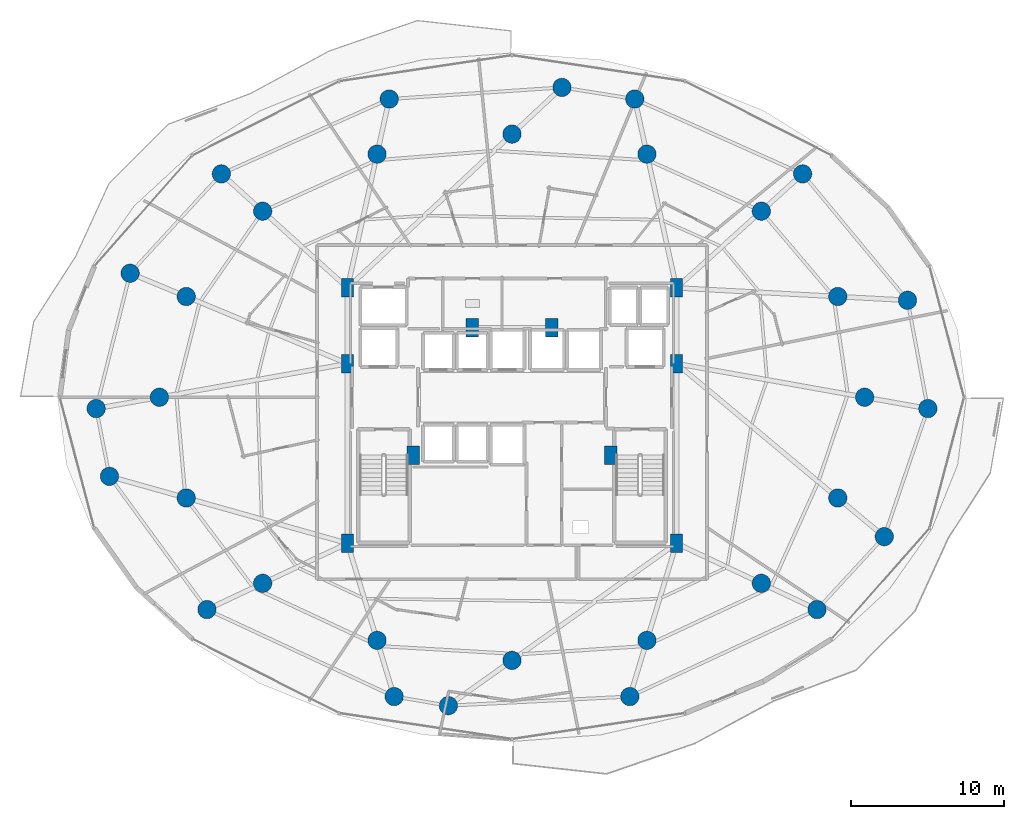
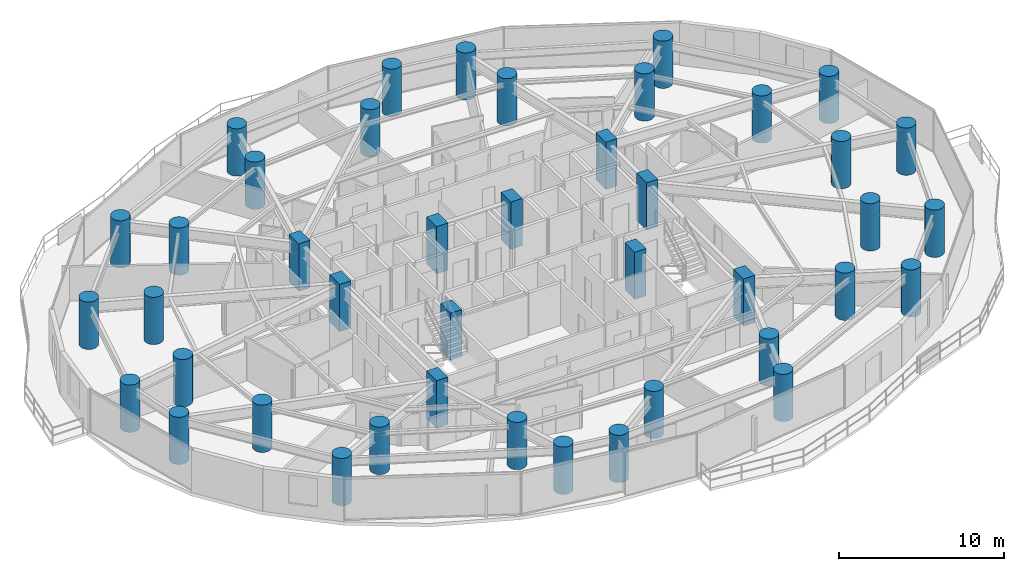
# One storey, part 1 of 34: 42 columns.
"""IFC4 building model written with IfcOpenShell, lengths in metres."""

import ifcopenshell
import ifcopenshell.guid

model = None  # the IFC model being written
_history = None  # IfcOwnerHistory: only IFC2X3 demands one
_inside = {}  # id of a spatial element -> (the spatial element, [elements in it])
_under = {}  # id of a project, library or spatial element -> (it, [spatial elements below it])
_declared = {}  # id of a project -> (the project, [libraries it declares])
_typed = {}  # id of a type object -> (the type object, [elements of that type])
_made_of = {}  # id of a material, layer set ... -> (it, [elements and type objects made of it])


def new_model(schema):
    """Start an empty IFC model of exactly this schema.

    Asked for "IFC4X3", IfcOpenShell would pick the latest addendum, in which some entities
    have other attributes; the version numbers below select the first issue.
    IFC2X3 requires an IfcOwnerHistory on every rooted entity: one is made here for all.
    """
    global model, _history
    if schema == "IFC4X3":
        model = ifcopenshell.file(schema_version=(4, 3, 0, 0))
    else:
        model = ifcopenshell.file(schema=schema)
    _inside.clear()
    _under.clear()
    _declared.clear()
    _typed.clear()
    _made_of.clear()
    _history = None
    if model.schema == "IFC2X3":
        org = make("IfcOrganization", Name="unknown")
        user = make(
            "IfcPersonAndOrganization",
            ThePerson=make("IfcPerson", FamilyName="unknown"),
            TheOrganization=org,
        )
        app = make(
            "IfcApplication",
            ApplicationDeveloper=org,
            Version="unknown",
            ApplicationFullName="unknown",
            ApplicationIdentifier="unknown",
        )
        _history = make(
            "IfcOwnerHistory",
            OwningUser=user,
            OwningApplication=app,
            ChangeAction="ADDED",
            CreationDate=0,
        )
    return model


def make(cls, **values):
    """One entity of the class cls with the attributes given. An attribute that is None is left unset."""
    return model.create_entity(
        cls, **{name: value for name, value in values.items() if value is not None}
    )


def rooted(cls, **values):
    """An entity with a GlobalId (a new one), such as an element, a storey or a relation."""
    return make(cls, GlobalId=ifcopenshell.guid.new(), OwnerHistory=_history, **values)


def si_unit(unit_type, name, prefix=None):
    """IfcSIUnit, for example si_unit("LENGTHUNIT", "METRE", prefix="MILLI")."""
    return make("IfcSIUnit", UnitType=unit_type, Prefix=prefix, Name=name)


def assignment(units):
    """IfcUnitAssignment: the units of a project."""
    return None if units is None else make("IfcUnitAssignment", Units=units)


def point(xyz):
    """IfcCartesianPoint."""
    return None if xyz is None else make("IfcCartesianPoint", Coordinates=xyz)


def direction(xyz):
    """IfcDirection."""
    return None if xyz is None else make("IfcDirection", DirectionRatios=xyz)


def frame(location, z_axis=None, x_axis=None):
    """IfcAxis2Placement3D, a coordinate frame: its origin and axes. An axis left out is left unset."""
    return make(
        "IfcAxis2Placement3D",
        Location=point(location),
        Axis=direction(z_axis),
        RefDirection=direction(x_axis),
    )


def frame_2d(location, x_axis=None):
    """IfcAxis2Placement2D, a coordinate frame in the plane: its origin and x axis."""
    return make(
        "IfcAxis2Placement2D", Location=point(location), RefDirection=direction(x_axis)
    )


def origin():
    """The frame at (0, 0, 0) with its axes left unset."""
    return frame((0.0, 0.0, 0.0))


def origin_2d():
    """The frame at (0, 0) in the plane with its x axis left unset."""
    return frame_2d((0.0, 0.0))


def place(relative_to, where):
    """IfcLocalPlacement: puts the frame where relative to a parent placement (None: the world)."""
    return make(
        "IfcLocalPlacement", PlacementRelTo=relative_to, RelativePlacement=where
    )


def context(
    kind, dimensions, precision=None, world=None, true_north=None, identifier=None
):
    """IfcGeometricRepresentationContext, for example the 3D "Model" context."""
    return make(
        "IfcGeometricRepresentationContext",
        ContextIdentifier=identifier,
        ContextType=kind,
        CoordinateSpaceDimension=dimensions,
        Precision=precision,
        WorldCoordinateSystem=world,
        TrueNorth=true_north,
    )


def subcontext(parent, identifier, kind, view, scale=None):
    """IfcGeometricRepresentationSubContext, for example "Body" below "Model"."""
    return make(
        "IfcGeometricRepresentationSubContext",
        ContextIdentifier=identifier,
        ContextType=kind,
        ParentContext=parent,
        TargetScale=scale,
        TargetView=view,
    )


def project(units=None, contexts=None):
    """IfcProject with its units and contexts."""
    return rooted(
        "IfcProject",
        Name="project",
        RepresentationContexts=contexts,
        UnitsInContext=assignment(units),
    )


def spatial(cls, under=None, at=None, **own):
    """A site, building, storey or space (cls), placed at a placement, below another one or the project."""
    s = rooted(cls, ObjectPlacement=at, **own)
    if under is not None:
        _under.setdefault(under.id(), (under, []))[1].append(s)
    return s


def profile(cls, at=None, kind="AREA", **sizes):
    """A parametric profile (cls). Its sizes go by their IFC names, for example OverallWidth=200.0."""
    return make(cls, ProfileType=kind, Position=at, **sizes)


def rectangle(**sizes):
    """IfcRectangleProfileDef."""
    return profile("IfcRectangleProfileDef", **sizes)


def circle(**sizes):
    """IfcCircleProfileDef."""
    return profile("IfcCircleProfileDef", **sizes)


def extrude(swept, where, along, depth):
    """IfcExtrudedAreaSolid: the profile swept, set in the frame where, extruded along a direction by depth."""
    return make(
        "IfcExtrudedAreaSolid",
        SweptArea=swept,
        Position=where,
        ExtrudedDirection=direction(along),
        Depth=depth,
    )


def shape(context_of_items, identifier, shape_type, items):
    """IfcShapeRepresentation: the items that make up one representation, for example the "Body"."""
    return make(
        "IfcShapeRepresentation",
        ContextOfItems=context_of_items,
        RepresentationIdentifier=identifier,
        RepresentationType=shape_type,
        Items=items,
    )


def material(Name=None, Category=None):
    """IfcMaterial."""
    return make("IfcMaterial", Name=Name, Category=Category)


def material_profile(
    of_material, cross_section, Name=None, Category=None, Priority=None
):
    """IfcMaterialProfile: a cross section and its material."""
    return make(
        "IfcMaterialProfile",
        Name=Name,
        Material=of_material,
        Profile=cross_section,
        Priority=Priority,
        Category=Category,
    )


def profile_set(profiles, Name=None, composite=None):
    """IfcMaterialProfileSet."""
    return make(
        "IfcMaterialProfileSet",
        Name=Name,
        MaterialProfiles=profiles,
        CompositeProfile=composite,
    )


def made_of(thing, what):
    """Note that an element or type object is made of a material, layer set ...; save() writes the relation."""
    if what is not None:
        _made_of.setdefault(what.id(), (what, []))[1].append(thing)
    return thing


def type_object(cls, material=None, **own):
    """A type object (cls), such as IfcWallType, which elements share."""
    return made_of(rooted(cls, **own), material)


def element(
    cls,
    number,
    at=None,
    inside=None,
    cuts=None,
    type_object=None,
    material=None,
    context=None,
    identifier="Body",
    shape_type=None,
    held_by="IfcProductDefinitionShape",
    body=None,
    shapes=None,
    **own,
):
    """One element of the class cls, such as IfcWall. Its Tag is "e" and its number.

    at: its placement. inside: the storey or other place that contains it. cuts: it is an
    opening in that element (IfcRelVoidsElement). A single representation is given by context,
    identifier, shape_type and body (its items); several are given by shapes. held_by: the class
    of the entity that holds the representations. save() writes the other relations.
    """
    e = rooted(cls, Tag="e%d" % number, ObjectPlacement=at, **own)
    if body is not None:
        shapes = [shape(context, identifier, shape_type, body)]
    if shapes is not None:
        e.Representation = make(held_by, Representations=shapes)
    if inside is not None:
        _inside.setdefault(inside.id(), (inside, []))[1].append(e)
    if cuts is not None:
        rooted(
            "IfcRelVoidsElement", RelatingBuildingElement=cuts, RelatedOpeningElement=e
        )
    if type_object is not None:
        _typed.setdefault(type_object.id(), (type_object, []))[1].append(e)
    return made_of(e, material)


def aggregate(whole, parts):
    """IfcRelAggregates: a whole, such as a stair, and the parts it consists of."""
    return rooted("IfcRelAggregates", RelatingObject=whole, RelatedObjects=parts)


def save(model, path):
    """Write the relations noted so far, then the file.

    IfcRelAggregates (storeys below a building ...), IfcRelContainedInSpatialStructure (elements
    in a storey), IfcRelDefinesByType, IfcRelAssociatesMaterial and IfcRelDeclares: one each for
    every whole, place, type object, material and project.
    """
    for whole, parts in _under.values():
        aggregate(whole, parts)
    for where, things in _inside.values():
        rooted(
            "IfcRelContainedInSpatialStructure",
            RelatedElements=things,
            RelatingStructure=where,
        )
    for kind, things in _typed.values():
        rooted("IfcRelDefinesByType", RelatedObjects=things, RelatingType=kind)
    for what, things in _made_of.values():
        rooted("IfcRelAssociatesMaterial", RelatedObjects=things, RelatingMaterial=what)
    for by, libraries in _declared.values():
        rooted("IfcRelDeclares", RelatingContext=by, RelatedDefinitions=libraries)
    model.write(path)


model = new_model("IFC4")

# Units and contexts
model_context = context("Model", 3, precision=1e-05, world=origin(), true_north=direction((0.0, 1.0)))
body_context = subcontext(model_context, "Body", "Model", "MODEL_VIEW")
ifc_project = project(units=[si_unit("LENGTHUNIT", "METRE"), si_unit("AREAUNIT", "SQUARE_METRE"), si_unit("VOLUMEUNIT", "CUBIC_METRE"), si_unit("PLANEANGLEUNIT", "RADIAN"), si_unit("MASSUNIT", "GRAM", prefix="KILO")], contexts=[model_context])

# Site, building, storey
site_placement = place(None, origin())
site = spatial("IfcSite", under=ifc_project, at=site_placement, CompositionType="ELEMENT")
building_placement = place(site_placement, origin())
building = spatial("IfcBuilding", under=site, at=building_placement, Name="Vorneva Point Tower", CompositionType="ELEMENT")
storey_placement = place(building_placement, frame((0.0, 0.0, 66.0)))
storey = spatial("IfcBuildingStorey", under=building, at=storey_placement, Name="L17", CompositionType="ELEMENT", Elevation=66.0)

# Columns
ifc_material = material(Name="Concrete B60 (C50/60)", Category="concrete")
ifc_material_profile_1 = material_profile(ifc_material, circle(Radius=0.60009765625, at=origin_2d()), Name="RC-CIRC 1200")
ifc_profile_set_1 = profile_set([ifc_material_profile_1], Name="Concrete B60 (C50/60)")
column_type_1 = type_object("IfcColumnType", Name="COL-RC1200C", PredefinedType="COLUMN", material=ifc_profile_set_1)
for number, where, z_axis, x_axis, name in (
    (1, (61.050048828125, 26.0, 0.0), (0.0, 0.0, 1.0), (1.0, 0.0, 0.0), "L17 Perimeter Column P01"),
    (2, (59.29541015625, 32.582275390625, 0.0), (0.0, 0.0, 1.0), (0.923879532511, 0.382683432365, 0.0), "L17 Perimeter Column P02"),
    (3, (54.298828125, 38.162109375, 0.0), (0.0, 0.0, 1.0), (0.707106781187, 0.707106781187, 0.0), "L17 Perimeter Column P03"),
    (4, (46.82080078125, 41.890625, 0.0), (0.0, 0.0, 1.0), (0.382683432365, 0.923879532511, 0.0), "L17 Perimeter Column P04"),
    (5, (38.0, 43.199951171875, 0.0), (0.0, 0.0, 1.0), (0.0, 1.0, 0.0), "L17 Perimeter Column P05"),
    (6, (29.17919921875, 41.890625, 0.0), (0.0, 0.0, 1.0), (-0.382683432365, 0.923879532511, 0.0), "L17 Perimeter Column P06"),
    (7, (21.701171875, 38.162109375, 0.0), (0.0, 0.0, 1.0), (-0.707106781187, 0.707106781187, 0.0), "L17 Perimeter Column P07"),
    (8, (16.70458984375, 32.582275390625, 0.0), (0.0, 0.0, 1.0), (-0.923879532511, 0.382683432365, 0.0), "L17 Perimeter Column P08"),
    (9, (14.949951171875, 26.0, 0.0), (0.0, 0.0, 1.0), (-1.0, 0.0, 0.0), "L17 Perimeter Column P09"),
    (10, (16.70458984375, 19.417724609375, 0.0), (0.0, 0.0, 1.0), (-0.923879532511, -0.382683432365, 0.0), "L17 Perimeter Column P10"),
    (11, (21.701171875, 13.837890625, 0.0), (0.0, 0.0, 1.0), (-0.707106781187, -0.707106781187, 0.0), "L17 Perimeter Column P11"),
    (12, (29.17919921875, 10.109375, 0.0), (0.0, 0.0, 1.0), (-0.382683432365, -0.923879532511, 0.0), "L17 Perimeter Column P12"),
    (13, (38.0, 8.800048828125, 0.0), (0.0, 0.0, 1.0), (0.0, -1.0, 0.0), "L17 Perimeter Column P13"),
    (14, (46.82080078125, 10.109375, 0.0), (0.0, 0.0, 1.0), (0.382683432365, -0.923879532511, 0.0), "L17 Perimeter Column P14"),
    (15, (54.298828125, 13.837890625, 0.0), (0.0, 0.0, 1.0), (0.707106781187, -0.707106781187, 0.0), "L17 Perimeter Column P15"),
    (16, (59.29541015625, 19.417724609375, 0.0), (0.0, 0.0, 1.0), (0.923879532511, -0.382683432365, 0.0), "L17 Perimeter Column P16"),
    (17, (65.18212890625, 25.260986328125, 0.0), (0.0, 0.0, 1.0), (1.0, 0.0, 0.0), "L17 Outer Zone Column OP01"),
    (18, (63.8544921875, 32.336669921875, 0.0), (0.0, 0.0, 1.0), (0.923879532511, 0.382683432365, 0.0), "L17 Outer Zone Column OP02"),
    (19, (56.997314453125, 40.599853515625, 0.0), (0.0, 0.0, 1.0), (0.707106781187, 0.707106781187, 0.0), "L17 Outer Zone Column OP03"),
    (20, (46.026123046875, 45.49169921875, 0.0), (0.0, 0.0, 1.0), (0.382683432365, 0.923879532511, 0.0), "L17 Outer Zone Column OP04"),
    (21, (41.26513671875, 46.25244140625, 0.0), (0.0, 0.0, 1.0), (0.0, 1.0, 0.0), "L17 Outer Zone Column OP05"),
    (22, (29.973876953125, 45.49169921875, 0.0), (0.0, 0.0, 1.0), (-0.382683432365, 0.923879532511, 0.0), "L17 Outer Zone Column OP06"),
    (23, (19.002685546875, 40.599853515625, 0.0), (0.0, 0.0, 1.0), (-0.707106781187, 0.707106781187, 0.0), "L17 Outer Zone Column OP07"),
    (24, (13.0390625, 34.10546875, 0.0), (0.0, 0.0, 1.0), (-0.923879532511, 0.382683432365, 0.0), "L17 Outer Zone Column OP08"),
    (25, (10.81787109375, 25.260986328125, 0.0), (0.0, 0.0, 1.0), (-1.0, 0.0, 0.0), "L17 Outer Zone Column OP09"),
    (26, (11.68798828125, 20.82958984375, 0.0), (0.0, 0.0, 1.0), (-0.923879532511, -0.382683432365, 0.0), "L17 Outer Zone Column OP10"),
    (27, (18.061279296875, 12.124267578125, 0.0), (0.0, 0.0, 1.0), (-0.707106781187, -0.707106781187, 0.0), "L17 Outer Zone Column OP11"),
    (28, (30.296875, 6.435302734375, 0.0), (0.0, 0.0, 1.0), (-0.382683432365, -0.923879532511, 0.0), "L17 Outer Zone Column OP12"),
    (29, (33.84033203125, 5.83984375, 0.0), (0.0, 0.0, 1.0), (0.0, -1.0, 0.0), "L17 Outer Zone Column OP13"),
    (30, (45.703125, 6.435302734375, 0.0), (0.0, 0.0, 1.0), (0.382683432365, -0.923879532511, 0.0), "L17 Outer Zone Column OP14"),
    (31, (57.938720703125, 12.124267578125, 0.0), (0.0, 0.0, 1.0), (0.707106781187, -0.707106781187, 0.0), "L17 Outer Zone Column OP15"),
    (32, (62.3349609375, 16.886474609375, 0.0), (0.0, 0.0, 1.0), (0.923879532511, -0.382683432365, 0.0), "L17 Outer Zone Column OP16"),
):
    element("IfcColumn", number, at=place(storey_placement, frame(where, z_axis=z_axis, x_axis=x_axis)), inside=storey, type_object=column_type_1, Name=name, PredefinedType="COLUMN", context=body_context, shape_type="SweptSolid", body=[
        extrude(circle(Radius=0.60009765625, at=origin_2d()), origin(), (0.0, 0.0, 1.0), 3.5),
    ])
ifc_material_profile_2 = material_profile(ifc_material, rectangle(XDim=0.800048828125, YDim=1.199951171875, at=origin_2d()), Name="RC-PIL 1200x800")
ifc_profile_set_2 = profile_set([ifc_material_profile_2], Name="Concrete B60 (C50/60)")
column_type_2 = type_object("IfcColumnType", Name="PIL-RC1200x800", PredefinedType="PILASTER", material=ifc_profile_set_2)
for number, where, z_axis, x_axis, name in (
    (33, (27.25, 16.449951171875, 0.0), (0.0, 0.0, 1.0), (1.0, 0.0, 0.0), "L17 Core Pilaster CP1"),
    (34, (27.25, 28.199951171875, 0.0), (0.0, 0.0, 1.0), (1.0, 0.0, 0.0), "L17 Core Pilaster CP2"),
    (35, (27.25, 33.14990234375, 0.0), (0.0, 0.0, 1.0), (1.0, 0.0, 0.0), "L17 Core Pilaster CP3"),
    (36, (31.550048828125, 22.199951171875, 0.0), (0.0, 0.0, 1.0), (1.0, 0.0, 0.0), "L17 Core Pilaster CP4"),
    (37, (48.75, 33.14990234375, 0.0), (0.0, 0.0, 1.0), (1.0, 0.0, 0.0), "L17 Core Pilaster CP5"),
    (38, (48.75, 28.199951171875, 0.0), (0.0, 0.0, 1.0), (1.0, 0.0, 0.0), "L17 Core Pilaster CP6"),
    (39, (48.75, 16.449951171875, 0.0), (0.0, 0.0, 1.0), (1.0, 0.0, 0.0), "L17 Core Pilaster CP7"),
    (40, (44.449951171875, 22.199951171875, 0.0), (0.0, 0.0, 1.0), (1.0, 0.0, 0.0), "L17 Core Pilaster CP8"),
    (41, (35.39990234375, 30.550048828125, 0.0), (0.0, 0.0, 1.0), (1.0, 0.0, 0.0), "L17 Core Pilaster CP9"),
    (42, (40.60009765625, 30.550048828125, 0.0), (0.0, 0.0, 1.0), (1.0, 0.0, 0.0), "L17 Core Pilaster CP10"),
):
    element("IfcColumn", number, at=place(storey_placement, frame(where, z_axis=z_axis, x_axis=x_axis)), inside=storey, type_object=column_type_2, Name=name, PredefinedType="PILASTER", context=body_context, shape_type="SweptSolid", body=[
        extrude(rectangle(XDim=0.800048828125, YDim=1.199951171875, at=origin_2d()), origin(), (0.0, 0.0, 1.0), 3.5),
    ])

save(model, "model.ifc")
